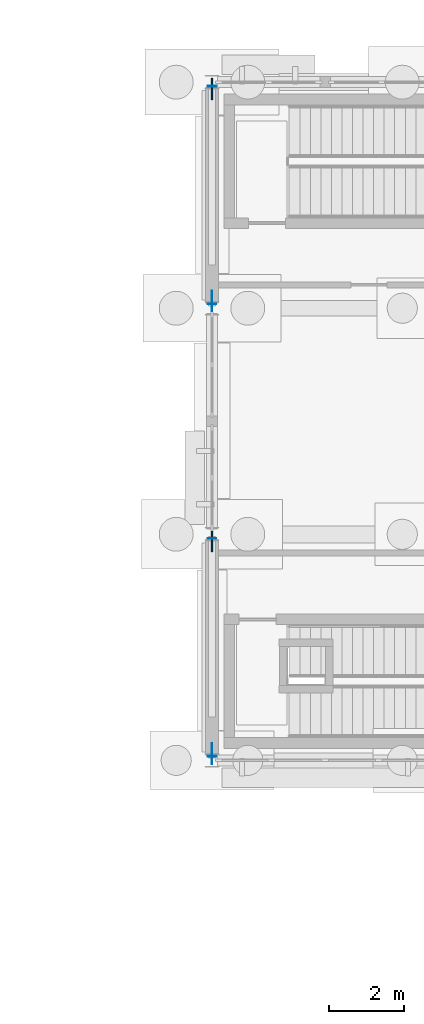
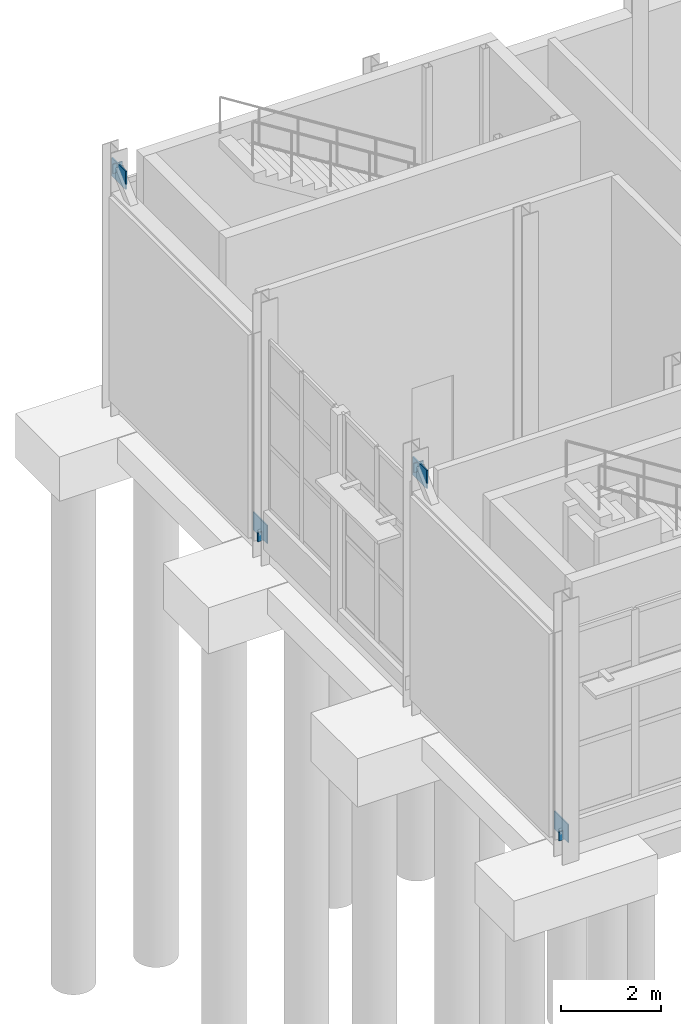
# One storey, part 86 of 120: 8 plates.
"""IFC4 building model written with IfcOpenShell, lengths in metres."""

from ifc_helpers import new_model, si_unit, direction, frame, origin, origin_2d, place, context, subcontext, project, spatial, rectangle, extrude, material, layer, layer_set, type_object, element, save


model = new_model("IFC4")

# Units and contexts
model_context = context("Model", 3, precision=1e-05, world=origin(), true_north=direction((0.0, 1.0)))
body_context = subcontext(model_context, "Body", "Model", "MODEL_VIEW")
ifc_project = project(units=[si_unit("LENGTHUNIT", "METRE"), si_unit("AREAUNIT", "SQUARE_METRE"), si_unit("VOLUMEUNIT", "CUBIC_METRE"), si_unit("PLANEANGLEUNIT", "RADIAN"), si_unit("MASSUNIT", "GRAM", prefix="KILO")], contexts=[model_context])

# Site, building, storey
site_placement = place(None, origin())
site = spatial("IfcSite", under=ifc_project, at=site_placement, CompositionType="ELEMENT")
building_placement = place(site_placement, origin())
building = spatial("IfcBuilding", under=site, at=building_placement, Name="Siltcreek Boulevard Central Fire Station", CompositionType="ELEMENT")
storey_placement = place(building_placement, origin())
storey = spatial("IfcBuildingStorey", under=building, at=storey_placement, Name="L01", CompositionType="ELEMENT", Elevation=0.0)

# Plates
ifc_material = material(Name="Structural steel ASTM A572 Gr50", Category="steel")
ifc_layer_1 = layer(ifc_material, 0.02490234375, Name="Structural steel ASTM A572 Gr50")
ifc_layer_set_1 = layer_set([ifc_layer_1], Name="Structural steel ASTM A572 Gr50")
plate_type_1 = type_object("IfcPlateType", Name="PL_CAP25", PredefinedType="USERDEFINED", material=ifc_layer_set_1)
for number, where, z_axis, x_axis, name in (
    (1, (42.0, 94.3125, -0.01708984375), (0.0, 0.0, 1.0), (0.0, 1.0, 0.0), "L01 SCBF concentrically braced frame BR-013 sealed end cap 1"),
    (2, (42.0, 100.087646484375, 5.447265625), (0.0, 0.0, 1.0), (0.0, 1.0, 0.0), "L01 SCBF concentrically braced frame BR-013 sealed end cap 2"),
    (3, (42.0, 106.3125, -0.01708984375), (0.0, 0.0, 1.0), (0.0, 1.0, 0.0), "L01 SCBF concentrically braced frame BR-019 sealed end cap 1"),
    (4, (42.0, 112.087646484375, 5.447265625), (0.0, 0.0, 1.0), (0.0, 1.0, 0.0), "L01 SCBF concentrically braced frame BR-019 sealed end cap 2"),
):
    element("IfcPlate", number, at=place(storey_placement, frame(where, z_axis=z_axis, x_axis=x_axis)), inside=storey, type_object=plate_type_1, Name=name, ObjectType="END CAP", PredefinedType="USERDEFINED", context=body_context, shape_type="SweptSolid", body=[
        extrude(rectangle(XDim=0.02490234375, YDim=0.219970703125, at=origin_2d()), origin(), (0.0, 0.0, 1.0), 0.219970703125),
    ])
ifc_layer_2 = layer(ifc_material, 0.02197265625, Name="Structural steel ASTM A572 Gr50")
ifc_layer_set_2 = layer_set([ifc_layer_2], Name="Structural steel ASTM A572 Gr50")
plate_type_2 = type_object("IfcPlateType", Name="PL_GUS22", PredefinedType="USERDEFINED", material=ifc_layer_set_2)
for number, where, z_axis, x_axis, name in (
    (5, (42.0, 94.3798828125, 0.030029296875), (0.0, 0.0, 1.0), (0.0, 1.0, 0.0), "Seismic brace bot gusset plate GP-059"),
    (6, (42.0, 106.3798828125, 0.030029296875), (0.0, 0.0, 1.0), (0.0, 1.0, 0.0), "Seismic brace bot gusset plate GP-071"),
):
    element("IfcPlate", number, at=place(storey_placement, frame(where, z_axis=z_axis, x_axis=x_axis)), inside=storey, type_object=plate_type_2, Name=name, ObjectType="GUSSET PLATE", PredefinedType="USERDEFINED", context=body_context, shape_type="SweptSolid", body=[
        extrude(rectangle(XDim=0.56005859375, YDim=0.02197265625, at=origin_2d()), origin(), (0.0, 0.0, 1.0), 0.43994140625),
    ])
ifc_layer_3 = layer(ifc_material, 0.028076171875, Name="Structural steel ASTM A572 Gr50")
ifc_layer_set_3 = layer_set([ifc_layer_3], Name="Structural steel ASTM A572 Gr50")
plate_type_3 = type_object("IfcPlateType", Name="PL_GUS28", PredefinedType="USERDEFINED", material=ifc_layer_set_3)
for number, where, z_axis, x_axis, name in (
    (7, (42.0, 100.02001953125, 5.22998046875), (0.0, 0.0, 1.0), (0.0, 1.0, 0.0), "Seismic brace top gusset plate GP-060"),
    (8, (42.0, 112.02001953125, 5.22998046875), (0.0, 0.0, 1.0), (0.0, 1.0, 0.0), "Seismic brace top gusset plate GP-072"),
):
    element("IfcPlate", number, at=place(storey_placement, frame(where, z_axis=z_axis, x_axis=x_axis)), inside=storey, type_object=plate_type_3, Name=name, ObjectType="GUSSET PLATE", PredefinedType="USERDEFINED", context=body_context, shape_type="SweptSolid", body=[
        extrude(rectangle(XDim=0.56005859375, YDim=0.028076171875, at=origin_2d()), origin(), (0.0, 0.0, 1.0), 0.43994140625),
    ])

save(model, "model.ifc")
